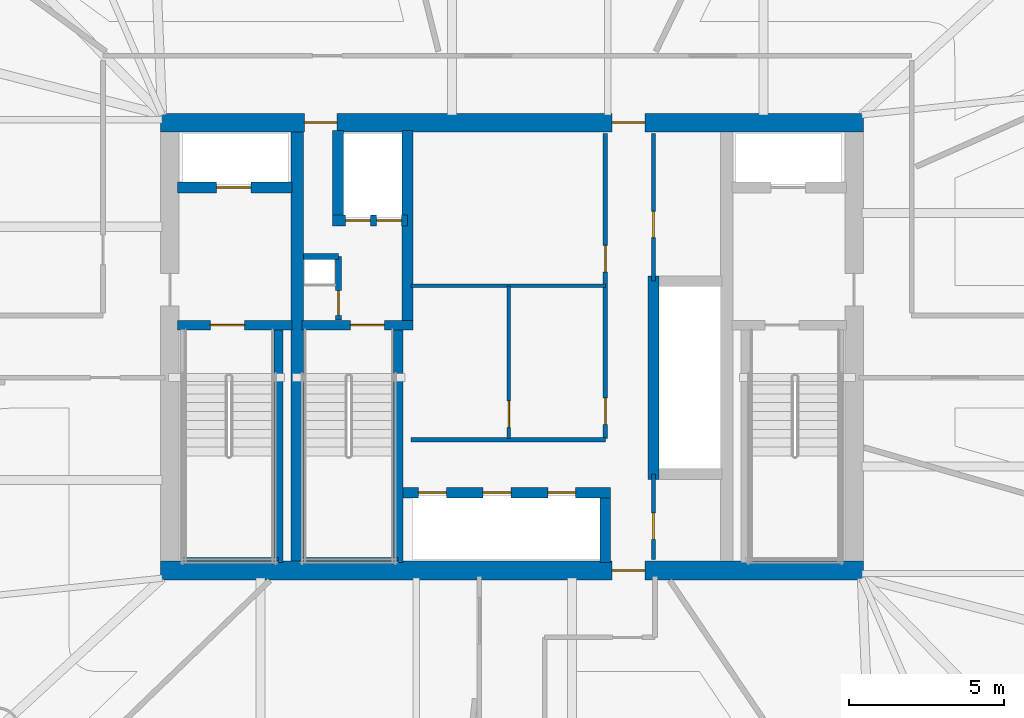
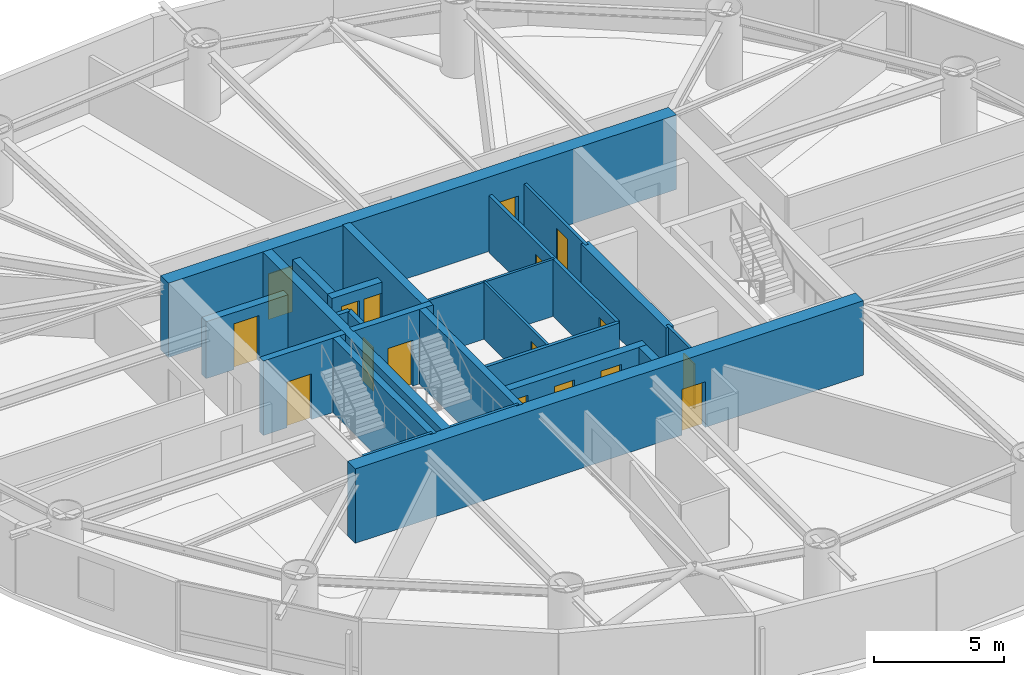
# One storey, part 15 of 20: 24 walls, 17 doors, 17 openings.
"""IFC4 building model written with IfcOpenShell, lengths in metres."""

import ifcopenshell
import ifcopenshell.guid

model = None  # the IFC model being written
_history = None  # IfcOwnerHistory: only IFC2X3 demands one
_inside = {}  # id of a spatial element -> (the spatial element, [elements in it])
_under = {}  # id of a project, library or spatial element -> (it, [spatial elements below it])
_declared = {}  # id of a project -> (the project, [libraries it declares])
_typed = {}  # id of a type object -> (the type object, [elements of that type])
_made_of = {}  # id of a material, layer set ... -> (it, [elements and type objects made of it])


def new_model(schema):
    """Start an empty IFC model of exactly this schema.

    Asked for "IFC4X3", IfcOpenShell would pick the latest addendum, in which some entities
    have other attributes; the version numbers below select the first issue.
    IFC2X3 requires an IfcOwnerHistory on every rooted entity: one is made here for all.
    """
    global model, _history
    if schema == "IFC4X3":
        model = ifcopenshell.file(schema_version=(4, 3, 0, 0))
    else:
        model = ifcopenshell.file(schema=schema)
    _inside.clear()
    _under.clear()
    _declared.clear()
    _typed.clear()
    _made_of.clear()
    _history = None
    if model.schema == "IFC2X3":
        org = make("IfcOrganization", Name="unknown")
        user = make(
            "IfcPersonAndOrganization",
            ThePerson=make("IfcPerson", FamilyName="unknown"),
            TheOrganization=org,
        )
        app = make(
            "IfcApplication",
            ApplicationDeveloper=org,
            Version="unknown",
            ApplicationFullName="unknown",
            ApplicationIdentifier="unknown",
        )
        _history = make(
            "IfcOwnerHistory",
            OwningUser=user,
            OwningApplication=app,
            ChangeAction="ADDED",
            CreationDate=0,
        )
    return model


def make(cls, **values):
    """One entity of the class cls with the attributes given. An attribute that is None is left unset."""
    return model.create_entity(
        cls, **{name: value for name, value in values.items() if value is not None}
    )


def rooted(cls, **values):
    """An entity with a GlobalId (a new one), such as an element, a storey or a relation."""
    return make(cls, GlobalId=ifcopenshell.guid.new(), OwnerHistory=_history, **values)


def si_unit(unit_type, name, prefix=None):
    """IfcSIUnit, for example si_unit("LENGTHUNIT", "METRE", prefix="MILLI")."""
    return make("IfcSIUnit", UnitType=unit_type, Prefix=prefix, Name=name)


def assignment(units):
    """IfcUnitAssignment: the units of a project."""
    return None if units is None else make("IfcUnitAssignment", Units=units)


def point(xyz):
    """IfcCartesianPoint."""
    return None if xyz is None else make("IfcCartesianPoint", Coordinates=xyz)


def direction(xyz):
    """IfcDirection."""
    return None if xyz is None else make("IfcDirection", DirectionRatios=xyz)


def frame(location, z_axis=None, x_axis=None):
    """IfcAxis2Placement3D, a coordinate frame: its origin and axes. An axis left out is left unset."""
    return make(
        "IfcAxis2Placement3D",
        Location=point(location),
        Axis=direction(z_axis),
        RefDirection=direction(x_axis),
    )


def frame_2d(location, x_axis=None):
    """IfcAxis2Placement2D, a coordinate frame in the plane: its origin and x axis."""
    return make(
        "IfcAxis2Placement2D", Location=point(location), RefDirection=direction(x_axis)
    )


def origin():
    """The frame at (0, 0, 0) with its axes left unset."""
    return frame((0.0, 0.0, 0.0))


def place(relative_to, where):
    """IfcLocalPlacement: puts the frame where relative to a parent placement (None: the world)."""
    return make(
        "IfcLocalPlacement", PlacementRelTo=relative_to, RelativePlacement=where
    )


def context(
    kind, dimensions, precision=None, world=None, true_north=None, identifier=None
):
    """IfcGeometricRepresentationContext, for example the 3D "Model" context."""
    return make(
        "IfcGeometricRepresentationContext",
        ContextIdentifier=identifier,
        ContextType=kind,
        CoordinateSpaceDimension=dimensions,
        Precision=precision,
        WorldCoordinateSystem=world,
        TrueNorth=true_north,
    )


def subcontext(parent, identifier, kind, view, scale=None):
    """IfcGeometricRepresentationSubContext, for example "Body" below "Model"."""
    return make(
        "IfcGeometricRepresentationSubContext",
        ContextIdentifier=identifier,
        ContextType=kind,
        ParentContext=parent,
        TargetScale=scale,
        TargetView=view,
    )


def project(units=None, contexts=None):
    """IfcProject with its units and contexts."""
    return rooted(
        "IfcProject",
        Name="project",
        RepresentationContexts=contexts,
        UnitsInContext=assignment(units),
    )


def spatial(cls, under=None, at=None, **own):
    """A site, building, storey or space (cls), placed at a placement, below another one or the project."""
    s = rooted(cls, ObjectPlacement=at, **own)
    if under is not None:
        _under.setdefault(under.id(), (under, []))[1].append(s)
    return s


def profile(cls, at=None, kind="AREA", **sizes):
    """A parametric profile (cls). Its sizes go by their IFC names, for example OverallWidth=200.0."""
    return make(cls, ProfileType=kind, Position=at, **sizes)


def rectangle(**sizes):
    """IfcRectangleProfileDef."""
    return profile("IfcRectangleProfileDef", **sizes)


def extrude(swept, where, along, depth):
    """IfcExtrudedAreaSolid: the profile swept, set in the frame where, extruded along a direction by depth."""
    return make(
        "IfcExtrudedAreaSolid",
        SweptArea=swept,
        Position=where,
        ExtrudedDirection=direction(along),
        Depth=depth,
    )


def shape(context_of_items, identifier, shape_type, items):
    """IfcShapeRepresentation: the items that make up one representation, for example the "Body"."""
    return make(
        "IfcShapeRepresentation",
        ContextOfItems=context_of_items,
        RepresentationIdentifier=identifier,
        RepresentationType=shape_type,
        Items=items,
    )


def material(Name=None, Category=None):
    """IfcMaterial."""
    return make("IfcMaterial", Name=Name, Category=Category)


def layer(
    of_material, thickness, ventilated=None, Name=None, Category=None, Priority=None
):
    """IfcMaterialLayer: one layer of a wall or slab, of a material (None: an air gap)."""
    return make(
        "IfcMaterialLayer",
        Material=of_material,
        LayerThickness=thickness,
        IsVentilated=ventilated,
        Name=Name,
        Category=Category,
        Priority=Priority,
    )


def layer_set(layers, Name=None):
    """IfcMaterialLayerSet."""
    return make("IfcMaterialLayerSet", MaterialLayers=layers, LayerSetName=Name)


def made_of(thing, what):
    """Note that an element or type object is made of a material, layer set ...; save() writes the relation."""
    if what is not None:
        _made_of.setdefault(what.id(), (what, []))[1].append(thing)
    return thing


def type_object(cls, material=None, **own):
    """A type object (cls), such as IfcWallType, which elements share."""
    return made_of(rooted(cls, **own), material)


def element(
    cls,
    number,
    at=None,
    inside=None,
    cuts=None,
    type_object=None,
    material=None,
    context=None,
    identifier="Body",
    shape_type=None,
    held_by="IfcProductDefinitionShape",
    body=None,
    shapes=None,
    **own,
):
    """One element of the class cls, such as IfcWall. Its Tag is "e" and its number.

    at: its placement. inside: the storey or other place that contains it. cuts: it is an
    opening in that element (IfcRelVoidsElement). A single representation is given by context,
    identifier, shape_type and body (its items); several are given by shapes. held_by: the class
    of the entity that holds the representations. save() writes the other relations.
    """
    e = rooted(cls, Tag="e%d" % number, ObjectPlacement=at, **own)
    if body is not None:
        shapes = [shape(context, identifier, shape_type, body)]
    if shapes is not None:
        e.Representation = make(held_by, Representations=shapes)
    if inside is not None:
        _inside.setdefault(inside.id(), (inside, []))[1].append(e)
    if cuts is not None:
        rooted(
            "IfcRelVoidsElement", RelatingBuildingElement=cuts, RelatedOpeningElement=e
        )
    if type_object is not None:
        _typed.setdefault(type_object.id(), (type_object, []))[1].append(e)
    return made_of(e, material)


def fill(opening, filler):
    """IfcRelFillsElement: the door or window that sits in an opening."""
    return rooted(
        "IfcRelFillsElement",
        RelatingOpeningElement=opening,
        RelatedBuildingElement=filler,
    )


def aggregate(whole, parts):
    """IfcRelAggregates: a whole, such as a stair, and the parts it consists of."""
    return rooted("IfcRelAggregates", RelatingObject=whole, RelatedObjects=parts)


def save(model, path):
    """Write the relations noted so far, then the file.

    IfcRelAggregates (storeys below a building ...), IfcRelContainedInSpatialStructure (elements
    in a storey), IfcRelDefinesByType, IfcRelAssociatesMaterial and IfcRelDeclares: one each for
    every whole, place, type object, material and project.
    """
    for whole, parts in _under.values():
        aggregate(whole, parts)
    for where, things in _inside.values():
        rooted(
            "IfcRelContainedInSpatialStructure",
            RelatedElements=things,
            RelatingStructure=where,
        )
    for kind, things in _typed.values():
        rooted("IfcRelDefinesByType", RelatedObjects=things, RelatingType=kind)
    for what, things in _made_of.values():
        rooted("IfcRelAssociatesMaterial", RelatedObjects=things, RelatingMaterial=what)
    for by, libraries in _declared.values():
        rooted("IfcRelDeclares", RelatingContext=by, RelatedDefinitions=libraries)
    model.write(path)


model = new_model("IFC4")

# Units and contexts
model_context = context("Model", 3, precision=1e-05, world=origin(), true_north=direction((0.0, 1.0)))
body_context = subcontext(model_context, "Body", "Model", "MODEL_VIEW")
ifc_project = project(units=[si_unit("LENGTHUNIT", "METRE"), si_unit("AREAUNIT", "SQUARE_METRE"), si_unit("VOLUMEUNIT", "CUBIC_METRE"), si_unit("PLANEANGLEUNIT", "RADIAN"), si_unit("MASSUNIT", "GRAM", prefix="KILO")], contexts=[model_context])

# Site, building, storey
site_placement = place(None, origin())
site = spatial("IfcSite", under=ifc_project, at=site_placement, CompositionType="ELEMENT")
building_placement = place(site_placement, origin())
building = spatial("IfcBuilding", under=site, at=building_placement, Name="Bramvorn Convention Spire", CompositionType="ELEMENT")
storey_placement = place(building_placement, frame((0.0, 0.0, 144.800048828125)))
storey = spatial("IfcBuildingStorey", under=building, at=storey_placement, Name="L36", CompositionType="ELEMENT", Elevation=144.800048828125)

# Wall, opening, door
ifc_material_1 = material(Name="Concrete C60/70", Category="concrete")
ifc_layer_1 = layer(ifc_material_1, 0.60009765625)
ifc_layer_set_1 = layer_set([ifc_layer_1], Name="Concrete C60/70 - WL-CORE-600")
wall_type_1 = type_object("IfcWallType", Name="WL-CORE-600", PredefinedType="SHEAR", material=ifc_layer_set_1)
wall_1_placement = place(storey_placement, frame((26.699951171875, 18.800048828125, 0.0), z_axis=(0.0, 0.0, 1.0), x_axis=(1.0, 0.0, 0.0)))
wall_1 = element("IfcWall", 1, at=wall_1_placement, inside=storey, type_object=wall_type_1, Name="L36 South RC core shear wall", PredefinedType="SHEAR", context=body_context, shape_type="SweptSolid", body=[
    extrude(rectangle(XDim=22.60009765625, YDim=0.60009765625, at=frame_2d((11.300048828125, 0.0))), origin(), (0.0, 0.0, 1.0), 3.5),
])
opening_1_placement = place(wall_1_placement, frame((14.52001953125, 0.0, 0.0)))
opening_1 = element("IfcOpeningElement", 2, at=opening_1_placement, cuts=wall_1, Name="Opening DL-105", PredefinedType="OPENING", context=body_context, shape_type="SweptSolid", body=[
    extrude(rectangle(XDim=1.050048828125, YDim=2.14990234375, at=frame_2d((0.52490234375, 1.074951171875))), frame((0.0, 0.31005859375, 0.0), z_axis=(0.0, -1.0, 0.0), x_axis=(1.0, 0.0, 0.0)), (0.0, 0.0, 1.0), 0.6201171875),
])
ifc_material_2 = material(Name="Smoke-Sealed Fire Lobby Timber-Core Door", Category="wood")
door_type_1 = type_object("IfcDoorType", Name="DR-LOBBY-1050", OperationType="NOTDEFINED", PredefinedType="DOOR", material=ifc_material_2)
door_1_placement = place(opening_1_placement, origin())
door_1 = element("IfcDoor", 3, at=door_1_placement, inside=storey, type_object=door_type_1, Name="L36 South Lift Lobby fire door", OperationType="SINGLE_SWING_RIGHT", OverallHeight=2.14990234375, OverallWidth=1.050048828125, PredefinedType="DOOR", context=body_context, shape_type="SweptSolid", body=[
    extrude(rectangle(XDim=1.050048828125, YDim=2.14990234375, at=frame_2d((0.52490234375, 1.074951171875))), frame((0.0, 0.02490234375, 0.0), z_axis=(0.0, -1.0, 0.0), x_axis=(1.0, 0.0, 0.0)), (0.0, 0.0, 1.0), 0.050048828125),
])
fill(opening_1, door_1)

# Wall, openings, doors
wall_2_placement = place(storey_placement, frame((26.699951171875, 33.199951171875, 0.0), z_axis=(0.0, 0.0, 1.0), x_axis=(1.0, 0.0, 0.0)))
wall_2 = element("IfcWall", 4, at=wall_2_placement, inside=storey, type_object=wall_type_1, Name="L36 North RC core shear wall", PredefinedType="SHEAR", context=body_context, shape_type="SweptSolid", body=[
    extrude(rectangle(XDim=22.60009765625, YDim=0.60009765625, at=frame_2d((11.300048828125, 0.0))), origin(), (0.0, 0.0, 1.0), 3.5),
])
opening_2_placement = place(wall_2_placement, frame((4.6201171875, 0.0, 0.0)))
opening_2 = element("IfcOpeningElement", 5, at=opening_2_placement, cuts=wall_2, Name="Opening DL-105", PredefinedType="OPENING", context=body_context, shape_type="SweptSolid", body=[
    extrude(rectangle(XDim=1.050048828125, YDim=2.14990234375, at=frame_2d((0.52490234375, 1.074951171875))), frame((0.0, 0.31005859375, 0.0), z_axis=(0.0, -1.0, 0.0), x_axis=(1.0, 0.0, 0.0)), (0.0, 0.0, 1.0), 0.6201171875),
])
opening_3_placement = place(wall_2_placement, frame((14.52001953125, 0.0, 0.0)))
opening_3 = element("IfcOpeningElement", 6, at=opening_3_placement, cuts=wall_2, Name="Opening DL-105", PredefinedType="OPENING", context=body_context, shape_type="SweptSolid", body=[
    extrude(rectangle(XDim=1.050048828125, YDim=2.14990234375, at=frame_2d((0.52490234375, 1.074951171875))), frame((0.0, 0.31005859375, 0.0), z_axis=(0.0, -1.0, 0.0), x_axis=(1.0, 0.0, 0.0)), (0.0, 0.0, 1.0), 0.6201171875),
])
door_2_placement = place(opening_2_placement, origin())
door_2 = element("IfcDoor", 7, at=door_2_placement, inside=storey, type_object=door_type_1, Name="L36 Service & Stair ST3 Lobby north corridor door", OperationType="SINGLE_SWING_LEFT", OverallHeight=2.14990234375, OverallWidth=1.050048828125, PredefinedType="DOOR", context=body_context, shape_type="SweptSolid", body=[
    extrude(rectangle(XDim=1.050048828125, YDim=2.14990234375, at=frame_2d((0.52490234375, 1.074951171875))), frame((0.0, 0.02490234375, 0.0), z_axis=(0.0, -1.0, 0.0), x_axis=(1.0, 0.0, 0.0)), (0.0, 0.0, 1.0), 0.050048828125),
])
fill(opening_2, door_2)
door_3_placement = place(opening_3_placement, origin())
door_3 = element("IfcDoor", 8, at=door_3_placement, inside=storey, type_object=door_type_1, Name="L36 North Lift Lobby fire door", OperationType="SINGLE_SWING_LEFT", OverallHeight=2.14990234375, OverallWidth=1.050048828125, PredefinedType="DOOR", context=body_context, shape_type="SweptSolid", body=[
    extrude(rectangle(XDim=1.050048828125, YDim=2.14990234375, at=frame_2d((0.52490234375, 1.074951171875))), frame((0.0, 0.02490234375, 0.0), z_axis=(0.0, -1.0, 0.0), x_axis=(1.0, 0.0, 0.0)), (0.0, 0.0, 1.0), 0.050048828125),
])
fill(opening_3, door_3)

# Wall, opening, door
ifc_material_3 = material(Name="Concrete C50/60", Category="concrete")
ifc_layer_2 = layer(ifc_material_3, 0.35009765625)
ifc_layer_set_2 = layer_set([ifc_layer_2], Name="Concrete C50/60 - WL-CORE-INT-350")
wall_type_2 = type_object("IfcWallType", Name="WL-CORE-INT-350", PredefinedType="SHEAR", material=ifc_layer_set_2)
wall_3_placement = place(storey_placement, frame((27.25, 31.1201171875, 0.0), z_axis=(0.0, 0.0, 1.0), x_axis=(1.0, 0.0, 0.0)))
wall_3 = element("IfcWall", 9, at=wall_3_placement, inside=storey, type_object=wall_type_2, Name="L36 FE1 shaft front wall", PredefinedType="SHEAR", context=body_context, shape_type="SweptSolid", body=[
    extrude(rectangle(XDim=3.669921875, YDim=0.35009765625, at=frame_2d((1.8349609375, 0.0))), origin(), (0.0, 0.0, 1.0), 2.675048828125),
])
opening_4_placement = place(wall_3_placement, frame((1.25, 0.0, 0.0)))
opening_4 = element("IfcOpeningElement", 10, at=opening_4_placement, cuts=wall_3, Name="Opening LD-110", PredefinedType="OPENING", context=body_context, shape_type="SweptSolid", body=[
    extrude(rectangle(XDim=1.10009765625, YDim=2.14990234375, at=frame_2d((0.550048828125, 1.074951171875))), frame((0.0, 0.18505859375, 0.0), z_axis=(0.0, -1.0, 0.0), x_axis=(1.0, 0.0, 0.0)), (0.0, 0.0, 1.0), 0.3701171875),
])
ifc_material_4 = material(Name="Firefighting & Service Lift Sliding Landing Door", Category="steel")
door_type_2 = type_object("IfcDoorType", Name="DR-LIFT-LD-1100", OperationType="NOTDEFINED", PredefinedType="DOOR", material=ifc_material_4)
door_4_placement = place(opening_4_placement, origin())
door_4 = element("IfcDoor", 11, at=door_4_placement, inside=storey, type_object=door_type_2, Name="L36 Lift FE1 Sliding Landing Door", OperationType="SLIDING_TO_LEFT", OverallHeight=2.14990234375, OverallWidth=1.10009765625, PredefinedType="DOOR", context=body_context, shape_type="SweptSolid", body=[
    extrude(rectangle(XDim=1.10009765625, YDim=2.14990234375, at=frame_2d((0.550048828125, 1.074951171875))), frame((0.0, 0.02490234375, 0.0), z_axis=(0.0, -1.0, 0.0), x_axis=(1.0, 0.0, 0.0)), (0.0, 0.0, 1.0), 0.050048828125),
])
fill(opening_4, door_4)

# Wall
wall_4_placement = place(storey_placement, frame((34.639892578125, 26.68994140625, 0.0), z_axis=(0.0, 0.0, 1.0), x_axis=(0.0, 1.0, 0.0)))
element("IfcWall", 12, at=wall_4_placement, inside=storey, type_object=wall_type_2, Name="L36 SV east core shaft wall", PredefinedType="SHEAR", context=body_context, shape_type="SweptSolid", body=[
    extrude(rectangle(XDim=6.260009765625, YDim=0.35009765625, at=frame_2d((3.1298828125, 0.0))), origin(), (0.0, 0.0, 1.0), 3.5),
])

# Wall, openings, doors
wall_5_placement = place(storey_placement, frame((32.22998046875, 30.050048828125, 0.0), z_axis=(0.0, 0.0, 1.0), x_axis=(1.0, 0.0, 0.0)))
wall_5 = element("IfcWall", 13, at=wall_5_placement, inside=storey, type_object=wall_type_2, Name="L36 SV1/SV2 shaft front wall", PredefinedType="SHEAR", context=body_context, shape_type="SweptSolid", body=[
    extrude(rectangle(XDim=2.409912109375, YDim=0.35009765625, at=frame_2d((1.205078125, 0.0))), origin(), (0.0, 0.0, 1.0), 2.675048828125),
])
opening_5_placement = place(wall_5_placement, frame((0.419921875, 0.0, 0.0)))
opening_5 = element("IfcOpeningElement", 14, at=opening_5_placement, cuts=wall_5, Name="Opening LD-080", PredefinedType="OPENING", context=body_context, shape_type="SweptSolid", body=[
    extrude(rectangle(XDim=0.800048828125, YDim=2.14990234375, at=frame_2d((0.39990234375, 1.074951171875))), frame((0.0, 0.18505859375, 0.0), z_axis=(0.0, -1.0, 0.0), x_axis=(1.0, 0.0, 0.0)), (0.0, 0.0, 1.0), 0.3701171875),
])
opening_6_placement = place(wall_5_placement, frame((1.419921875, 0.0, 0.0)))
opening_6 = element("IfcOpeningElement", 15, at=opening_6_placement, cuts=wall_5, Name="Opening LD-080", PredefinedType="OPENING", context=body_context, shape_type="SweptSolid", body=[
    extrude(rectangle(XDim=0.800048828125, YDim=2.14990234375, at=frame_2d((0.39990234375, 1.074951171875))), frame((0.0, 0.18505859375, 0.0), z_axis=(0.0, -1.0, 0.0), x_axis=(1.0, 0.0, 0.0)), (0.0, 0.0, 1.0), 0.3701171875),
])
ifc_material_5 = material(Name="Service Lift Bi-Parting Landing Door", Category="steel")
door_type_3 = type_object("IfcDoorType", Name="DR-LIFT-LD-800", OperationType="NOTDEFINED", PredefinedType="DOOR", material=ifc_material_5)
door_5_placement = place(opening_5_placement, origin())
door_5 = element("IfcDoor", 16, at=door_5_placement, inside=storey, type_object=door_type_3, Name="L36 Lift SV1 Sliding Landing Door", OperationType="SLIDING_TO_LEFT", OverallHeight=2.14990234375, OverallWidth=0.800048828125, PredefinedType="DOOR", context=body_context, shape_type="SweptSolid", body=[
    extrude(rectangle(XDim=0.800048828125, YDim=2.14990234375, at=frame_2d((0.39990234375, 1.074951171875))), frame((0.0, 0.02490234375, 0.0), z_axis=(0.0, -1.0, 0.0), x_axis=(1.0, 0.0, 0.0)), (0.0, 0.0, 1.0), 0.050048828125),
])
fill(opening_5, door_5)
door_6_placement = place(opening_6_placement, origin())
door_6 = element("IfcDoor", 17, at=door_6_placement, inside=storey, type_object=door_type_3, Name="L36 Lift SV2 Sliding Landing Door", OperationType="SLIDING_TO_LEFT", OverallHeight=2.14990234375, OverallWidth=0.800048828125, PredefinedType="DOOR", context=body_context, shape_type="SweptSolid", body=[
    extrude(rectangle(XDim=0.800048828125, YDim=2.14990234375, at=frame_2d((0.39990234375, 1.074951171875))), frame((0.0, 0.02490234375, 0.0), z_axis=(0.0, -1.0, 0.0), x_axis=(1.0, 0.0, 0.0)), (0.0, 0.0, 1.0), 0.050048828125),
])
fill(opening_6, door_6)

# Walls
wall_6_placement = place(storey_placement, frame((32.39990234375, 30.219970703125, 0.0), z_axis=(0.0, 0.0, 1.0), x_axis=(0.0, 1.0, 0.0)))
element("IfcWall", 18, at=wall_6_placement, inside=storey, type_object=wall_type_2, Name="L36 SV1 west hoistway wall", PredefinedType="SHEAR", context=body_context, shape_type="SweptSolid", body=[
    extrude(rectangle(XDim=2.72998046875, YDim=0.35009765625, at=frame_2d((1.364990234375, 0.0))), origin(), (0.0, 0.0, 1.0), 2.675048828125),
])
wall_7_placement = place(storey_placement, frame((42.550048828125, 21.72998046875, 0.0), z_axis=(0.0, 0.0, 1.0), x_axis=(0.0, 1.0, 0.0)))
element("IfcWall", 19, at=wall_7_placement, inside=storey, type_object=wall_type_2, Name="L36 High-rise lift bank west wall", PredefinedType="SHEAR", context=body_context, shape_type="SweptSolid", body=[
    extrude(rectangle(XDim=6.5400390625, YDim=0.35009765625, at=frame_2d((3.27001953125, 0.0))), origin(), (0.0, 0.0, 1.0), 2.675048828125),
])

# Wall, openings, doors
wall_8_placement = place(storey_placement, frame((34.489990234375, 21.300048828125, 0.0), z_axis=(0.0, 0.0, 1.0), x_axis=(1.0, 0.0, 0.0)))
wall_8 = element("IfcWall", 20, at=wall_8_placement, inside=storey, type_object=wall_type_2, Name="L36 Mid-rise bank north landing wall", PredefinedType="SHEAR", context=body_context, shape_type="SweptSolid", body=[
    extrude(rectangle(XDim=6.679931640625, YDim=0.35009765625, at=frame_2d((3.33984375, 0.0))), origin(), (0.0, 0.0, 1.0), 2.675048828125),
])
opening_7_placement = place(wall_8_placement, frame((0.5, 0.0, 0.0)))
opening_7 = element("IfcOpeningElement", 21, at=opening_7_placement, cuts=wall_8, Name="Opening LD-090", PredefinedType="OPENING", context=body_context, shape_type="SweptSolid", body=[
    extrude(rectangle(XDim=0.89990234375, YDim=2.14990234375, at=frame_2d((0.449951171875, 1.074951171875))), frame((0.0, 0.18505859375, 0.0), z_axis=(0.0, -1.0, 0.0), x_axis=(1.0, 0.0, 0.0)), (0.0, 0.0, 1.0), 0.3701171875),
])
opening_8_placement = place(wall_8_placement, frame((2.580078125, 0.0, 0.0)))
opening_8 = element("IfcOpeningElement", 22, at=opening_8_placement, cuts=wall_8, Name="Opening LD-090", PredefinedType="OPENING", context=body_context, shape_type="SweptSolid", body=[
    extrude(rectangle(XDim=0.89990234375, YDim=2.14990234375, at=frame_2d((0.449951171875, 1.074951171875))), frame((0.0, 0.18505859375, 0.0), z_axis=(0.0, -1.0, 0.0), x_axis=(1.0, 0.0, 0.0)), (0.0, 0.0, 1.0), 0.3701171875),
])
opening_9_placement = place(wall_8_placement, frame((4.659912109375, 0.0, 0.0)))
opening_9 = element("IfcOpeningElement", 23, at=opening_9_placement, cuts=wall_8, Name="Opening LD-090", PredefinedType="OPENING", context=body_context, shape_type="SweptSolid", body=[
    extrude(rectangle(XDim=0.89990234375, YDim=2.14990234375, at=frame_2d((0.449951171875, 1.074951171875))), frame((0.0, 0.18505859375, 0.0), z_axis=(0.0, -1.0, 0.0), x_axis=(1.0, 0.0, 0.0)), (0.0, 0.0, 1.0), 0.3701171875),
])
ifc_material_6 = material(Name="Bi-Parting Fire-Rated Lift Landing Door", Category="steel")
door_type_4 = type_object("IfcDoorType", Name="DR-LIFT-LD-900", OperationType="NOTDEFINED", PredefinedType="DOOR", material=ifc_material_6)
door_7_placement = place(opening_7_placement, origin())
door_7 = element("IfcDoor", 24, at=door_7_placement, inside=storey, type_object=door_type_4, Name="L36 Lift PM1 Sliding Landing Door", OperationType="SLIDING_TO_LEFT", OverallHeight=2.14990234375, OverallWidth=0.89990234375, PredefinedType="DOOR", context=body_context, shape_type="SweptSolid", body=[
    extrude(rectangle(XDim=0.89990234375, YDim=2.14990234375, at=frame_2d((0.449951171875, 1.074951171875))), frame((0.0, 0.02490234375, 0.0), z_axis=(0.0, -1.0, 0.0), x_axis=(1.0, 0.0, 0.0)), (0.0, 0.0, 1.0), 0.050048828125),
])
fill(opening_7, door_7)
door_8_placement = place(opening_8_placement, origin())
door_8 = element("IfcDoor", 25, at=door_8_placement, inside=storey, type_object=door_type_4, Name="L36 Lift PM2 Sliding Landing Door", OperationType="SLIDING_TO_LEFT", OverallHeight=2.14990234375, OverallWidth=0.89990234375, PredefinedType="DOOR", context=body_context, shape_type="SweptSolid", body=[
    extrude(rectangle(XDim=0.89990234375, YDim=2.14990234375, at=frame_2d((0.449951171875, 1.074951171875))), frame((0.0, 0.02490234375, 0.0), z_axis=(0.0, -1.0, 0.0), x_axis=(1.0, 0.0, 0.0)), (0.0, 0.0, 1.0), 0.050048828125),
])
fill(opening_8, door_8)
door_9_placement = place(opening_9_placement, origin())
door_9 = element("IfcDoor", 26, at=door_9_placement, inside=storey, type_object=door_type_4, Name="L36 Lift PM3 Sliding Landing Door", OperationType="SLIDING_TO_LEFT", OverallHeight=2.14990234375, OverallWidth=0.89990234375, PredefinedType="DOOR", context=body_context, shape_type="SweptSolid", body=[
    extrude(rectangle(XDim=0.89990234375, YDim=2.14990234375, at=frame_2d((0.449951171875, 1.074951171875))), frame((0.0, 0.02490234375, 0.0), z_axis=(0.0, -1.0, 0.0), x_axis=(1.0, 0.0, 0.0)), (0.0, 0.0, 1.0), 0.050048828125),
])
fill(opening_9, door_9)

# Walls
wall_9_placement = place(storey_placement, frame((41.0, 19.050048828125, 0.0), z_axis=(0.0, 0.0, 1.0), x_axis=(0.0, 1.0, 0.0)))
element("IfcWall", 27, at=wall_9_placement, inside=storey, type_object=wall_type_2, Name="L36 Mid-rise bank east cheek wall", PredefinedType="SHEAR", context=body_context, shape_type="SweptSolid", body=[
    extrude(rectangle(XDim=2.079833984375, YDim=0.35009765625, at=frame_2d((1.0400390625, 0.0))), origin(), (0.0, 0.0, 1.0), 2.675048828125),
])
ifc_layer_3 = layer(ifc_material_1, 0.39990234375)
ifc_layer_set_3 = layer_set([ifc_layer_3], Name="Concrete C60/70 - WL-CORE-INT-400")
wall_type_3 = type_object("IfcWallType", Name="WL-CORE-INT-400", PredefinedType="SHEAR", material=ifc_layer_set_3)
wall_10_placement = place(storey_placement, frame((31.10009765625, 19.10009765625, 0.0), z_axis=(0.0, 0.0, 1.0), x_axis=(0.0, 1.0, 0.0)))
element("IfcWall", 28, at=wall_10_placement, inside=storey, type_object=wall_type_3, Name="L36 West internal core shear web", PredefinedType="SHEAR", context=body_context, shape_type="SweptSolid", body=[
    extrude(rectangle(XDim=13.7998046875, YDim=0.39990234375, at=frame_2d((6.89990234375, 0.0))), origin(), (0.0, 0.0, 1.0), 3.5),
])
ifc_material_7 = material(Name="Lightweight En-Suite & Wet-Wall Partition", Category="gypsum")
ifc_layer_4 = layer(ifc_material_7, 0.110107421875)
ifc_layer_set_4 = layer_set([ifc_layer_4], Name="Lightweight En-Suite & Wet-Wall Partition - WL-PART-110")
wall_type_4 = type_object("IfcWallType", Name="WL-PART-110", PredefinedType="PARTITIONING", material=ifc_layer_set_4)
wall_11_placement = place(storey_placement, frame((34.75, 27.949951171875, 0.0), z_axis=(0.0, 0.0, 1.0), x_axis=(1.0, 0.0, 0.0)))
element("IfcWall", 29, at=wall_11_placement, inside=storey, type_object=wall_type_4, Name="L36 KA horizontal core divider", PredefinedType="PARTITIONING", context=body_context, shape_type="SweptSolid", body=[
    extrude(rectangle(XDim=6.25, YDim=0.110107421875, at=frame_2d((3.125, 0.0))), origin(), (0.0, 0.0, 1.0), 2.675048828125),
])

# Wall, opening, door
wall_12_placement = place(storey_placement, frame((37.89990234375, 23.050048828125, 0.0), z_axis=(0.0, 0.0, 1.0), x_axis=(0.0, 1.0, 0.0)))
wall_12 = element("IfcWall", 30, at=wall_12_placement, inside=storey, type_object=wall_type_4, Name="L36 KA restroom subwall", PredefinedType="PARTITIONING", context=body_context, shape_type="SweptSolid", body=[
    extrude(rectangle(XDim=4.89990234375, YDim=0.110107421875, at=frame_2d((2.449951171875, 0.0))), origin(), (0.0, 0.0, 1.0), 2.675048828125),
])
opening_10_placement = place(wall_12_placement, frame((0.35009765625, 0.0, 0.0)))
opening_10 = element("IfcOpeningElement", 31, at=opening_10_placement, cuts=wall_12, Name="Opening DC-085", PredefinedType="OPENING", context=body_context, shape_type="SweptSolid", body=[
    extrude(rectangle(XDim=0.85009765625, YDim=2.10009765625, at=frame_2d((0.425048828125, 1.050048828125))), frame((0.0, 0.06494140625, 0.0), z_axis=(0.0, -1.0, 0.0), x_axis=(1.0, 0.0, 0.0)), (0.0, 0.0, 1.0), 0.130126953125),
])
ifc_material_8 = material(Name="Fire-Rated Core Washroom & IDF Door", Category="wood")
door_type_5 = type_object("IfcDoorType", Name="DR-CORE-850", OperationType="NOTDEFINED", PredefinedType="DOOR", material=ifc_material_8)
door_10_placement = place(opening_10_placement, origin())
door_10 = element("IfcDoor", 32, at=door_10_placement, inside=storey, type_object=door_type_5, Name="L36 Core IT Closet door", OperationType="SINGLE_SWING_LEFT", OverallHeight=2.10009765625, OverallWidth=0.85009765625, PredefinedType="DOOR", context=body_context, shape_type="SweptSolid", body=[
    extrude(rectangle(XDim=0.85009765625, YDim=2.10009765625, at=frame_2d((0.425048828125, 1.050048828125))), frame((0.0, 0.02490234375, 0.0), z_axis=(0.0, -1.0, 0.0), x_axis=(1.0, 0.0, 0.0)), (0.0, 0.0, 1.0), 0.050048828125),
])
fill(opening_10, door_10)

ifc_material_9 = material(Name="Metal-Stud Demountable Office Partition", Category="gypsum")
ifc_layer_5 = layer(ifc_material_9, 0.1298828125)
ifc_layer_set_5 = layer_set([ifc_layer_5], Name="Metal-Stud Demountable Office Partition - WL-PART-130")
wall_type_5 = type_object("IfcWallType", Name="WL-PART-130", PredefinedType="PARTITIONING", material=ifc_layer_set_5)
wall_13_placement = place(storey_placement, frame((42.550048828125, 28.10009765625, 0.0), z_axis=(0.0, 0.0, 1.0), x_axis=(0.0, 1.0, 0.0)))
wall_13 = element("IfcWall", 33, at=wall_13_placement, inside=storey, type_object=wall_type_5, Name="L36 KA NE IDF wall", PredefinedType="PARTITIONING", context=body_context, shape_type="SweptSolid", body=[
    extrude(rectangle(XDim=4.75, YDim=0.1298828125, at=frame_2d((2.375, 0.0))), origin(), (0.0, 0.0, 1.0), 2.675048828125),
])
opening_11_placement = place(wall_13_placement, frame((1.39990234375, 0.0, 0.0)))
opening_11 = element("IfcOpeningElement", 34, at=opening_11_placement, cuts=wall_13, Name="Opening DC-085", PredefinedType="OPENING", context=body_context, shape_type="SweptSolid", body=[
    extrude(rectangle(XDim=0.85009765625, YDim=2.10009765625, at=frame_2d((0.425048828125, 1.050048828125))), frame((0.0, 0.074951171875, 0.0), z_axis=(0.0, -1.0, 0.0), x_axis=(1.0, 0.0, 0.0)), (0.0, 0.0, 1.0), 0.14990234375),
])
door_11_placement = place(opening_11_placement, origin())
door_11 = element("IfcDoor", 35, at=door_11_placement, inside=storey, type_object=door_type_5, Name="L36 Core IDF & BMS Room door", OperationType="SINGLE_SWING_LEFT", OverallHeight=2.10009765625, OverallWidth=0.85009765625, PredefinedType="DOOR", context=body_context, shape_type="SweptSolid", body=[
    extrude(rectangle(XDim=0.85009765625, YDim=2.10009765625, at=frame_2d((0.425048828125, 1.050048828125))), frame((0.0, 0.02490234375, 0.0), z_axis=(0.0, -1.0, 0.0), x_axis=(1.0, 0.0, 0.0)), (0.0, 0.0, 1.0), 0.050048828125),
])
fill(opening_11, door_11)

wall_14_placement = place(storey_placement, frame((42.550048828125, 19.14990234375, 0.0), z_axis=(0.0, 0.0, 1.0), x_axis=(0.0, 1.0, 0.0)))
wall_14 = element("IfcWall", 36, at=wall_14_placement, inside=storey, type_object=wall_type_5, Name="L36 KA SE store wall", PredefinedType="PARTITIONING", context=body_context, shape_type="SweptSolid", body=[
    extrude(rectangle(XDim=2.75, YDim=0.1298828125, at=frame_2d((1.375, 0.0))), origin(), (0.0, 0.0, 1.0), 2.675048828125),
])
opening_12_placement = place(wall_14_placement, frame((0.64990234375, 0.0, 0.0)))
opening_12 = element("IfcOpeningElement", 37, at=opening_12_placement, cuts=wall_14, Name="Opening DC-085", PredefinedType="OPENING", context=body_context, shape_type="SweptSolid", body=[
    extrude(rectangle(XDim=0.85009765625, YDim=2.10009765625, at=frame_2d((0.425048828125, 1.050048828125))), frame((0.0, 0.074951171875, 0.0), z_axis=(0.0, -1.0, 0.0), x_axis=(1.0, 0.0, 0.0)), (0.0, 0.0, 1.0), 0.14990234375),
])
door_12_placement = place(opening_12_placement, origin())
door_12 = element("IfcDoor", 38, at=door_12_placement, inside=storey, type_object=door_type_5, Name="L36 Tenant Pantry & Copy Centre door", OperationType="SINGLE_SWING_LEFT", OverallHeight=2.10009765625, OverallWidth=0.85009765625, PredefinedType="DOOR", context=body_context, shape_type="SweptSolid", body=[
    extrude(rectangle(XDim=0.85009765625, YDim=2.10009765625, at=frame_2d((0.425048828125, 1.050048828125))), frame((0.0, 0.02490234375, 0.0), z_axis=(0.0, -1.0, 0.0), x_axis=(1.0, 0.0, 0.0)), (0.0, 0.0, 1.0), 0.050048828125),
])
fill(opening_12, door_12)

# Wall
ifc_material_10 = material(Name="Acoustic Metal-Stud Tenant/Corridor Partition", Category="gypsum")
ifc_layer_6 = layer(ifc_material_10, 0.14990234375)
ifc_layer_set_6 = layer_set([ifc_layer_6], Name="Acoustic Metal-Stud Tenant/Corridor Partition - WL-PART-150")
wall_type_6 = type_object("IfcWallType", Name="WL-PART-150", PredefinedType="PARTITIONING", material=ifc_layer_set_6)
wall_15_placement = place(storey_placement, frame((34.75, 23.0, 0.0), z_axis=(0.0, 0.0, 1.0), x_axis=(1.0, 0.0, 0.0)))
element("IfcWall", 39, at=wall_15_placement, inside=storey, type_object=wall_type_6, Name="L36 Mid-rise lift vestibule north wall", PredefinedType="PARTITIONING", context=body_context, shape_type="SweptSolid", body=[
    extrude(rectangle(XDim=6.25, YDim=0.14990234375, at=frame_2d((3.125, 0.0))), origin(), (0.0, 0.0, 1.0), 2.675048828125),
])

# Wall, openings, doors
wall_16_placement = place(storey_placement, frame((41.0, 23.050048828125, 0.0), z_axis=(0.0, 0.0, 1.0), x_axis=(0.0, 1.0, 0.0)))
wall_16 = element("IfcWall", 40, at=wall_16_placement, inside=storey, type_object=wall_type_6, Name="L36 KA east core wall", PredefinedType="PARTITIONING", context=body_context, shape_type="SweptSolid", body=[
    extrude(rectangle(XDim=9.800048828125, YDim=0.14990234375, at=frame_2d((4.89990234375, 0.0))), origin(), (0.0, 0.0, 1.0), 2.675048828125),
])
opening_13_placement = place(wall_16_placement, frame((5.35009765625, 0.0, 0.0)))
opening_13 = element("IfcOpeningElement", 41, at=opening_13_placement, cuts=wall_16, Name="Opening DC-085", PredefinedType="OPENING", context=body_context, shape_type="SweptSolid", body=[
    extrude(rectangle(XDim=0.85009765625, YDim=2.10009765625, at=frame_2d((0.425048828125, 1.050048828125))), frame((0.0, 0.0849609375, 0.0), z_axis=(0.0, -1.0, 0.0), x_axis=(1.0, 0.0, 0.0)), (0.0, 0.0, 1.0), 0.169921875),
])
opening_14_placement = place(wall_16_placement, frame((0.449951171875, 0.0, 0.0)))
opening_14 = element("IfcOpeningElement", 42, at=opening_14_placement, cuts=wall_16, Name="Opening DC-085", PredefinedType="OPENING", context=body_context, shape_type="SweptSolid", body=[
    extrude(rectangle(XDim=0.85009765625, YDim=2.10009765625, at=frame_2d((0.425048828125, 1.050048828125))), frame((0.0, 0.0849609375, 0.0), z_axis=(0.0, -1.0, 0.0), x_axis=(1.0, 0.0, 0.0)), (0.0, 0.0, 1.0), 0.169921875),
])
door_13_placement = place(opening_13_placement, origin())
door_13 = element("IfcDoor", 43, at=door_13_placement, inside=storey, type_object=door_type_5, Name="L36 Core Linen & Equipment Store door", OperationType="SINGLE_SWING_LEFT", OverallHeight=2.10009765625, OverallWidth=0.85009765625, PredefinedType="DOOR", context=body_context, shape_type="SweptSolid", body=[
    extrude(rectangle(XDim=0.85009765625, YDim=2.10009765625, at=frame_2d((0.425048828125, 1.050048828125))), frame((0.0, 0.02490234375, 0.0), z_axis=(0.0, -1.0, 0.0), x_axis=(1.0, 0.0, 0.0)), (0.0, 0.0, 1.0), 0.050048828125),
])
fill(opening_13, door_13)
door_14_placement = place(opening_14_placement, origin())
door_14 = element("IfcDoor", 44, at=door_14_placement, inside=storey, type_object=door_type_5, Name="L36 Accessible Core Restroom door", OperationType="SINGLE_SWING_LEFT", OverallHeight=2.10009765625, OverallWidth=0.85009765625, PredefinedType="DOOR", context=body_context, shape_type="SweptSolid", body=[
    extrude(rectangle(XDim=0.85009765625, YDim=2.10009765625, at=frame_2d((0.425048828125, 1.050048828125))), frame((0.0, 0.02490234375, 0.0), z_axis=(0.0, -1.0, 0.0), x_axis=(1.0, 0.0, 0.0)), (0.0, 0.0, 1.0), 0.050048828125),
])
fill(opening_14, door_14)

# Wall, opening, door
ifc_material_11 = material(Name="Gypsum Shaftwall & Rockwool Core Partition", Category="gypsum")
ifc_layer_7 = layer(ifc_material_11, 0.199951171875)
ifc_layer_set_7 = layer_set([ifc_layer_7], Name="Gypsum Shaftwall & Rockwool Core Partition - WL-PART-200-FR")
wall_type_7 = type_object("IfcWallType", Name="WL-PART-200-FR", PredefinedType="PARTITIONING", material=ifc_layer_set_7)
wall_17_placement = place(storey_placement, frame((32.419921875, 26.860107421875, 0.0), z_axis=(0.0, 0.0, 1.0), x_axis=(0.0, 1.0, 0.0)))
wall_17 = element("IfcWall", 45, at=wall_17_placement, inside=storey, type_object=wall_type_7, Name="L36 Telecom riser east wall", PredefinedType="PARTITIONING", context=body_context, shape_type="SweptSolid", body=[
    extrude(rectangle(XDim=2.039794921875, YDim=0.199951171875, at=frame_2d((1.02001953125, 0.0))), origin(), (0.0, 0.0, 1.0), 2.675048828125),
])
opening_15_placement = place(wall_17_placement, frame((0.139892578125, 0.0, 0.0)))
opening_15 = element("IfcOpeningElement", 46, at=opening_15_placement, cuts=wall_17, Name="Opening DR-080", PredefinedType="OPENING", context=body_context, shape_type="SweptSolid", body=[
    extrude(rectangle(XDim=0.800048828125, YDim=2.050048828125, at=frame_2d((0.39990234375, 1.02490234375))), frame((0.0, 0.10986328125, 0.0), z_axis=(0.0, -1.0, 0.0), x_axis=(1.0, 0.0, 0.0)), (0.0, 0.0, 1.0), 0.219970703125),
])
ifc_material_12 = material(Name="Flush Steel Riser Access Door", Category="steel")
door_type_6 = type_object("IfcDoorType", Name="DR-RISER-800", OperationType="NOTDEFINED", PredefinedType="DOOR", material=ifc_material_12)
door_15_placement = place(opening_15_placement, origin())
door_15 = element("IfcDoor", 47, at=door_15_placement, inside=storey, type_object=door_type_6, Name="L36 Telecom riser access door", OperationType="SINGLE_SWING_RIGHT", OverallHeight=2.050048828125, OverallWidth=0.800048828125, PredefinedType="DOOR", context=body_context, shape_type="SweptSolid", body=[
    extrude(rectangle(XDim=0.800048828125, YDim=2.050048828125, at=frame_2d((0.39990234375, 1.02490234375))), frame((0.0, 0.02490234375, 0.0), z_axis=(0.0, -1.0, 0.0), x_axis=(1.0, 0.0, 0.0)), (0.0, 0.0, 1.0), 0.050048828125),
])
fill(opening_15, door_15)

# Wall
wall_18_placement = place(storey_placement, frame((31.300048828125, 28.89990234375, 0.0), z_axis=(0.0, 0.0, 1.0), x_axis=(1.0, 0.0, 0.0)))
element("IfcWall", 48, at=wall_18_placement, inside=storey, type_object=wall_type_7, Name="L36 Telecom riser north wall", PredefinedType="PARTITIONING", context=body_context, shape_type="SweptSolid", body=[
    extrude(rectangle(XDim=1.119873046875, YDim=0.199951171875, at=frame_2d((0.56005859375, 0.0))), origin(), (0.0, 0.0, 1.0), 2.675048828125),
])

# Wall, opening, door
ifc_layer_8 = layer(ifc_material_3, 0.300048828125)
ifc_layer_set_8 = layer_set([ifc_layer_8], Name="Concrete C50/60 - WL-POD-STAIR-300")
wall_type_8 = type_object("IfcWallType", Name="WL-POD-STAIR-300", PredefinedType="SHEAR", material=ifc_layer_set_8)
wall_19_placement = place(storey_placement, frame((27.25, 26.68994140625, 0.0), z_axis=(0.0, 0.0, 1.0), x_axis=(1.0, 0.0, 0.0)))
wall_19 = element("IfcWall", 49, at=wall_19_placement, inside=storey, type_object=wall_type_8, Name="L36 ST1 north fire wall", PredefinedType="SHEAR", context=body_context, shape_type="SweptSolid", body=[
    extrude(rectangle(XDim=3.669921875, YDim=0.300048828125, at=frame_2d((1.8349609375, 0.0))), origin(), (0.0, 0.0, 1.0), 3.5),
])
opening_16_placement = place(wall_19_placement, frame((1.050048828125, 0.0, 0.0)))
opening_16 = element("IfcOpeningElement", 50, at=opening_16_placement, cuts=wall_19, Name="Opening DS-110", PredefinedType="OPENING", context=body_context, shape_type="SweptSolid", body=[
    extrude(rectangle(XDim=1.10009765625, YDim=2.14990234375, at=frame_2d((0.550048828125, 1.074951171875))), frame((0.0, 0.159912109375, 0.0), z_axis=(0.0, -1.0, 0.0), x_axis=(1.0, 0.0, 0.0)), (0.0, 0.0, 1.0), 0.320068359375),
])
ifc_material_13 = material(Name="Fire-Rated Hollow Steel Stairwell Door", Category="steel")
door_type_7 = type_object("IfcDoorType", Name="DR-STAIR-1100", OperationType="NOTDEFINED", PredefinedType="DOOR", material=ifc_material_13)
door_16_placement = place(opening_16_placement, origin())
door_16 = element("IfcDoor", 51, at=door_16_placement, inside=storey, type_object=door_type_7, Name="L36 Stair ST1 fire door", OperationType="SINGLE_SWING_LEFT", OverallHeight=2.14990234375, OverallWidth=1.10009765625, PredefinedType="DOOR", context=body_context, shape_type="SweptSolid", body=[
    extrude(rectangle(XDim=1.10009765625, YDim=2.14990234375, at=frame_2d((0.550048828125, 1.074951171875))), frame((0.0, 0.02490234375, 0.0), z_axis=(0.0, -1.0, 0.0), x_axis=(1.0, 0.0, 0.0)), (0.0, 0.0, 1.0), 0.050048828125),
])
fill(opening_16, door_16)

# Walls
for number, where, z_axis, x_axis, name in (
    (52, (30.489990234375, 19.050048828125, 0.0), (0.0, 0.0, 1.0), (0.0, 1.0, 0.0), "L36 ST1 east bearing wall"),
    (53, (34.340087890625, 19.050048828125, 0.0), (0.0, 0.0, 1.0), (0.0, 1.0, 0.0), "L36 ST3 east bearing wall"),
):
    element("IfcWall", number, at=place(storey_placement, frame(where, z_axis=z_axis, x_axis=x_axis)), inside=storey, type_object=wall_type_8, Name=name, PredefinedType="SHEAR", context=body_context, shape_type="SweptSolid", body=[
        extrude(rectangle(XDim=7.5, YDim=0.300048828125, at=frame_2d((3.75, 0.0))), origin(), (0.0, 0.0, 1.0), 3.5),
    ])

# Wall, opening, door
wall_20_placement = place(storey_placement, frame((31.25, 26.68994140625, 0.0), z_axis=(0.0, 0.0, 1.0), x_axis=(1.0, 0.0, 0.0)))
wall_20 = element("IfcWall", 54, at=wall_20_placement, inside=storey, type_object=wall_type_8, Name="L36 ST3 north lobby wall", PredefinedType="SHEAR", context=body_context, shape_type="SweptSolid", body=[
    extrude(rectangle(XDim=3.56005859375, YDim=0.300048828125, at=frame_2d((1.780029296875, 0.0))), origin(), (0.0, 0.0, 1.0), 3.5),
])
opening_17_placement = place(wall_20_placement, frame((1.550048828125, 0.0, 0.0)))
opening_17 = element("IfcOpeningElement", 55, at=opening_17_placement, cuts=wall_20, Name="Opening DS-110", PredefinedType="OPENING", context=body_context, shape_type="SweptSolid", body=[
    extrude(rectangle(XDim=1.10009765625, YDim=2.14990234375, at=frame_2d((0.550048828125, 1.074951171875))), frame((0.0, 0.159912109375, 0.0), z_axis=(0.0, -1.0, 0.0), x_axis=(1.0, 0.0, 0.0)), (0.0, 0.0, 1.0), 0.320068359375),
])
door_17_placement = place(opening_17_placement, origin())
door_17 = element("IfcDoor", 56, at=door_17_placement, inside=storey, type_object=door_type_7, Name="L36 Stair ST3 fire door", OperationType="SINGLE_SWING_LEFT", OverallHeight=2.14990234375, OverallWidth=1.10009765625, PredefinedType="DOOR", context=body_context, shape_type="SweptSolid", body=[
    extrude(rectangle(XDim=1.10009765625, YDim=2.14990234375, at=frame_2d((0.550048828125, 1.074951171875))), frame((0.0, 0.02490234375, 0.0), z_axis=(0.0, -1.0, 0.0), x_axis=(1.0, 0.0, 0.0)), (0.0, 0.0, 1.0), 0.050048828125),
])
fill(opening_17, door_17)

# Walls
ifc_layer_9 = layer(ifc_material_3, 0.1201171875)
ifc_layer_set_9 = layer_set([ifc_layer_9], Name="Concrete C50/60 - WL-STAIR-RC-120")
wall_type_9 = type_object("IfcWallType", Name="WL-STAIR-RC-120", PredefinedType="SHEAR", material=ifc_layer_set_9)
wall_21_placement = place(storey_placement, frame((27.39501953125, 19.159912109375, 0.0), z_axis=(0.0, 0.0, 1.0), x_axis=(1.0, 0.0, 0.0)))
element("IfcWall", 57, at=wall_21_placement, inside=storey, type_object=wall_type_9, Name="L36 ST1 south bearing shear wall", PredefinedType="SHEAR", context=body_context, shape_type="SweptSolid", body=[
    extrude(rectangle(XDim=3.094970703125, YDim=0.1201171875, at=frame_2d((1.54736328125, 0.0))), origin(), (0.0, 0.0, 1.0), 3.5),
])
wall_22_placement = place(storey_placement, frame((31.300048828125, 19.159912109375, 0.0), z_axis=(0.0, 0.0, 1.0), x_axis=(1.0, 0.0, 0.0)))
element("IfcWall", 58, at=wall_22_placement, inside=storey, type_object=wall_type_9, Name="L36 ST3 south bearing shear wall", PredefinedType="SHEAR", context=body_context, shape_type="SweptSolid", body=[
    extrude(rectangle(XDim=3.0400390625, YDim=0.1201171875, at=frame_2d((1.52001953125, 0.0))), origin(), (0.0, 0.0, 1.0), 3.5),
])

save(model, "model.ifc")
